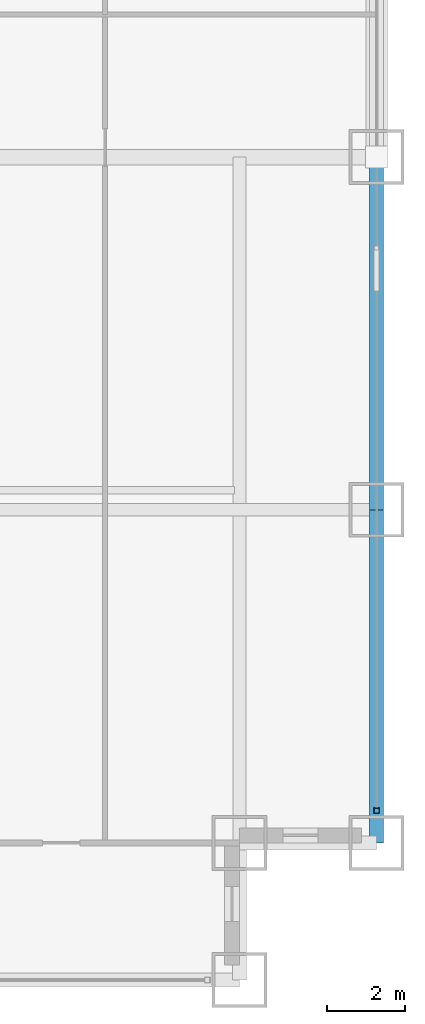
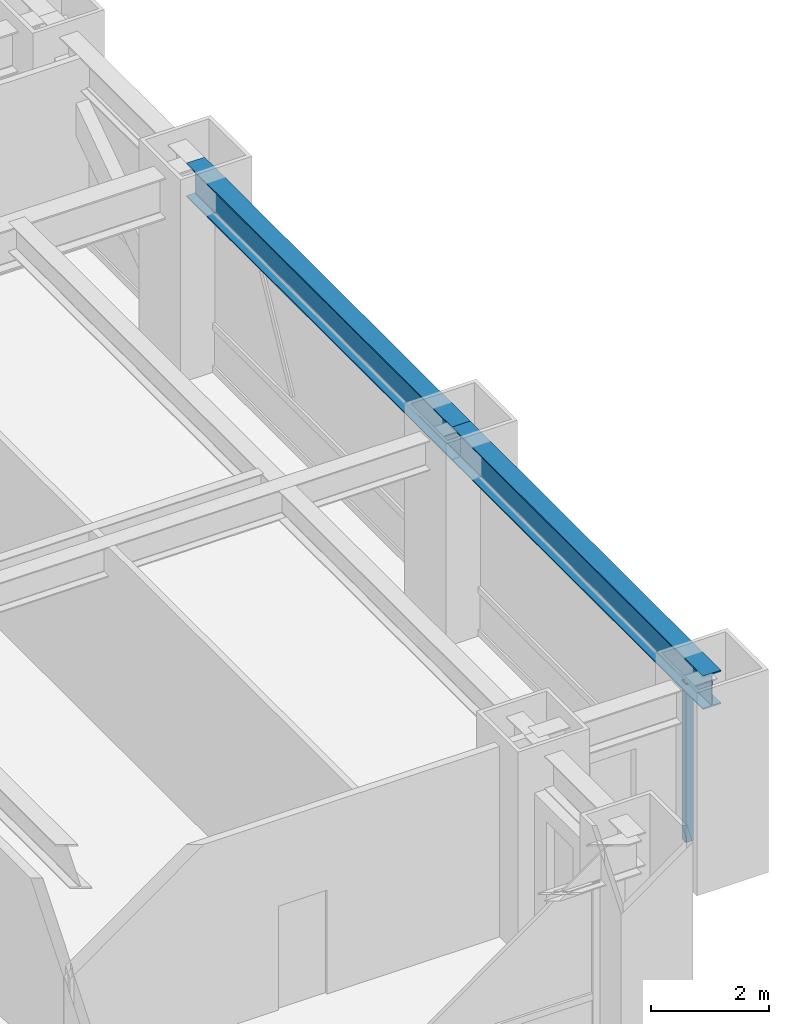
# One storey, part 12 of 28: 2 beams, 1 member, 1 element without a shape of its own.
"""IFC4 building model written with IfcOpenShell, lengths in metres."""

import ifcopenshell
import ifcopenshell.guid

model = None  # the IFC model being written
_history = None  # IfcOwnerHistory: only IFC2X3 demands one
_inside = {}  # id of a spatial element -> (the spatial element, [elements in it])
_under = {}  # id of a project, library or spatial element -> (it, [spatial elements below it])
_declared = {}  # id of a project -> (the project, [libraries it declares])
_typed = {}  # id of a type object -> (the type object, [elements of that type])
_made_of = {}  # id of a material, layer set ... -> (it, [elements and type objects made of it])


def new_model(schema):
    """Start an empty IFC model of exactly this schema.

    Asked for "IFC4X3", IfcOpenShell would pick the latest addendum, in which some entities
    have other attributes; the version numbers below select the first issue.
    IFC2X3 requires an IfcOwnerHistory on every rooted entity: one is made here for all.
    """
    global model, _history
    if schema == "IFC4X3":
        model = ifcopenshell.file(schema_version=(4, 3, 0, 0))
    else:
        model = ifcopenshell.file(schema=schema)
    _inside.clear()
    _under.clear()
    _declared.clear()
    _typed.clear()
    _made_of.clear()
    _history = None
    if model.schema == "IFC2X3":
        org = make("IfcOrganization", Name="unknown")
        user = make(
            "IfcPersonAndOrganization",
            ThePerson=make("IfcPerson", FamilyName="unknown"),
            TheOrganization=org,
        )
        app = make(
            "IfcApplication",
            ApplicationDeveloper=org,
            Version="unknown",
            ApplicationFullName="unknown",
            ApplicationIdentifier="unknown",
        )
        _history = make(
            "IfcOwnerHistory",
            OwningUser=user,
            OwningApplication=app,
            ChangeAction="ADDED",
            CreationDate=0,
        )
    return model


def make(cls, **values):
    """One entity of the class cls with the attributes given. An attribute that is None is left unset."""
    return model.create_entity(
        cls, **{name: value for name, value in values.items() if value is not None}
    )


def rooted(cls, **values):
    """An entity with a GlobalId (a new one), such as an element, a storey or a relation."""
    return make(cls, GlobalId=ifcopenshell.guid.new(), OwnerHistory=_history, **values)


def si_unit(unit_type, name, prefix=None):
    """IfcSIUnit, for example si_unit("LENGTHUNIT", "METRE", prefix="MILLI")."""
    return make("IfcSIUnit", UnitType=unit_type, Prefix=prefix, Name=name)


def assignment(units):
    """IfcUnitAssignment: the units of a project."""
    return None if units is None else make("IfcUnitAssignment", Units=units)


def point(xyz):
    """IfcCartesianPoint."""
    return None if xyz is None else make("IfcCartesianPoint", Coordinates=xyz)


def direction(xyz):
    """IfcDirection."""
    return None if xyz is None else make("IfcDirection", DirectionRatios=xyz)


def frame(location, z_axis=None, x_axis=None):
    """IfcAxis2Placement3D, a coordinate frame: its origin and axes. An axis left out is left unset."""
    return make(
        "IfcAxis2Placement3D",
        Location=point(location),
        Axis=direction(z_axis),
        RefDirection=direction(x_axis),
    )


def frame_2d(location, x_axis=None):
    """IfcAxis2Placement2D, a coordinate frame in the plane: its origin and x axis."""
    return make(
        "IfcAxis2Placement2D", Location=point(location), RefDirection=direction(x_axis)
    )


def origin():
    """The frame at (0, 0, 0) with its axes left unset."""
    return frame((0.0, 0.0, 0.0))


def origin_2d():
    """The frame at (0, 0) in the plane with its x axis left unset."""
    return frame_2d((0.0, 0.0))


def place(relative_to, where):
    """IfcLocalPlacement: puts the frame where relative to a parent placement (None: the world)."""
    return make(
        "IfcLocalPlacement", PlacementRelTo=relative_to, RelativePlacement=where
    )


def context(
    kind, dimensions, precision=None, world=None, true_north=None, identifier=None
):
    """IfcGeometricRepresentationContext, for example the 3D "Model" context."""
    return make(
        "IfcGeometricRepresentationContext",
        ContextIdentifier=identifier,
        ContextType=kind,
        CoordinateSpaceDimension=dimensions,
        Precision=precision,
        WorldCoordinateSystem=world,
        TrueNorth=true_north,
    )


def subcontext(parent, identifier, kind, view, scale=None):
    """IfcGeometricRepresentationSubContext, for example "Body" below "Model"."""
    return make(
        "IfcGeometricRepresentationSubContext",
        ContextIdentifier=identifier,
        ContextType=kind,
        ParentContext=parent,
        TargetScale=scale,
        TargetView=view,
    )


def project(units=None, contexts=None):
    """IfcProject with its units and contexts."""
    return rooted(
        "IfcProject",
        Name="project",
        RepresentationContexts=contexts,
        UnitsInContext=assignment(units),
    )


def spatial(cls, under=None, at=None, **own):
    """A site, building, storey or space (cls), placed at a placement, below another one or the project."""
    s = rooted(cls, ObjectPlacement=at, **own)
    if under is not None:
        _under.setdefault(under.id(), (under, []))[1].append(s)
    return s


def profile(cls, at=None, kind="AREA", **sizes):
    """A parametric profile (cls). Its sizes go by their IFC names, for example OverallWidth=200.0."""
    return make(cls, ProfileType=kind, Position=at, **sizes)


def hollow_rectangle(**sizes):
    """IfcRectangleHollowProfileDef."""
    return profile("IfcRectangleHollowProfileDef", **sizes)


def i_section(**sizes):
    """IfcIShapeProfileDef."""
    return profile("IfcIShapeProfileDef", **sizes)


def extrude(swept, where, along, depth):
    """IfcExtrudedAreaSolid: the profile swept, set in the frame where, extruded along a direction by depth."""
    return make(
        "IfcExtrudedAreaSolid",
        SweptArea=swept,
        Position=where,
        ExtrudedDirection=direction(along),
        Depth=depth,
    )


def shape(context_of_items, identifier, shape_type, items):
    """IfcShapeRepresentation: the items that make up one representation, for example the "Body"."""
    return make(
        "IfcShapeRepresentation",
        ContextOfItems=context_of_items,
        RepresentationIdentifier=identifier,
        RepresentationType=shape_type,
        Items=items,
    )


def source(mapping_origin, context_of_items, identifier, shape_type, items):
    """IfcRepresentationMap: a shape defined once, which mapped items show again and again."""
    return make(
        "IfcRepresentationMap",
        MappingOrigin=mapping_origin,
        MappedRepresentation=shape(context_of_items, identifier, shape_type, items),
    )


def transform(
    local_origin,
    x_axis=None,
    y_axis=None,
    z_axis=None,
    scale=None,
    scale2=None,
    scale3=None,
    uniform=True,
):
    """IfcCartesianTransformationOperator3D, or its non-uniform kind. x_axis, y_axis, z_axis: its Axis1, 2, 3."""
    if uniform:
        return make(
            "IfcCartesianTransformationOperator3D",
            Axis1=direction(x_axis),
            Axis2=direction(y_axis),
            LocalOrigin=point(local_origin),
            Scale=scale,
            Axis3=direction(z_axis),
        )
    return make(
        "IfcCartesianTransformationOperator3DnonUniform",
        Axis1=direction(x_axis),
        Axis2=direction(y_axis),
        LocalOrigin=point(local_origin),
        Scale=scale,
        Axis3=direction(z_axis),
        Scale2=scale2,
        Scale3=scale3,
    )


def mapped(mapping_source, mapping_target):
    """IfcMappedItem: shows the shape of a source again, moved by a transform."""
    return make(
        "IfcMappedItem", MappingSource=mapping_source, MappingTarget=mapping_target
    )


def material(Name=None, Category=None):
    """IfcMaterial."""
    return make("IfcMaterial", Name=Name, Category=Category)


def material_profile(
    of_material, cross_section, Name=None, Category=None, Priority=None
):
    """IfcMaterialProfile: a cross section and its material."""
    return make(
        "IfcMaterialProfile",
        Name=Name,
        Material=of_material,
        Profile=cross_section,
        Priority=Priority,
        Category=Category,
    )


def profile_set(profiles, Name=None, composite=None):
    """IfcMaterialProfileSet."""
    return make(
        "IfcMaterialProfileSet",
        Name=Name,
        MaterialProfiles=profiles,
        CompositeProfile=composite,
    )


def made_of(thing, what):
    """Note that an element or type object is made of a material, layer set ...; save() writes the relation."""
    if what is not None:
        _made_of.setdefault(what.id(), (what, []))[1].append(thing)
    return thing


def type_object(cls, material=None, **own):
    """A type object (cls), such as IfcWallType, which elements share."""
    return made_of(rooted(cls, **own), material)


def element(
    cls,
    number,
    at=None,
    inside=None,
    cuts=None,
    type_object=None,
    material=None,
    context=None,
    identifier="Body",
    shape_type=None,
    held_by="IfcProductDefinitionShape",
    body=None,
    shapes=None,
    **own,
):
    """One element of the class cls, such as IfcWall. Its Tag is "e" and its number.

    at: its placement. inside: the storey or other place that contains it. cuts: it is an
    opening in that element (IfcRelVoidsElement). A single representation is given by context,
    identifier, shape_type and body (its items); several are given by shapes. held_by: the class
    of the entity that holds the representations. save() writes the other relations.
    """
    e = rooted(cls, Tag="e%d" % number, ObjectPlacement=at, **own)
    if body is not None:
        shapes = [shape(context, identifier, shape_type, body)]
    if shapes is not None:
        e.Representation = make(held_by, Representations=shapes)
    if inside is not None:
        _inside.setdefault(inside.id(), (inside, []))[1].append(e)
    if cuts is not None:
        rooted(
            "IfcRelVoidsElement", RelatingBuildingElement=cuts, RelatedOpeningElement=e
        )
    if type_object is not None:
        _typed.setdefault(type_object.id(), (type_object, []))[1].append(e)
    return made_of(e, material)


def aggregate(whole, parts):
    """IfcRelAggregates: a whole, such as a stair, and the parts it consists of."""
    return rooted("IfcRelAggregates", RelatingObject=whole, RelatedObjects=parts)


def save(model, path):
    """Write the relations noted so far, then the file.

    IfcRelAggregates (storeys below a building ...), IfcRelContainedInSpatialStructure (elements
    in a storey), IfcRelDefinesByType, IfcRelAssociatesMaterial and IfcRelDeclares: one each for
    every whole, place, type object, material and project.
    """
    for whole, parts in _under.values():
        aggregate(whole, parts)
    for where, things in _inside.values():
        rooted(
            "IfcRelContainedInSpatialStructure",
            RelatedElements=things,
            RelatingStructure=where,
        )
    for kind, things in _typed.values():
        rooted("IfcRelDefinesByType", RelatedObjects=things, RelatingType=kind)
    for what, things in _made_of.values():
        rooted("IfcRelAssociatesMaterial", RelatedObjects=things, RelatingMaterial=what)
    for by, libraries in _declared.values():
        rooted("IfcRelDeclares", RelatingContext=by, RelatedDefinitions=libraries)
    model.write(path)


model = new_model("IFC4")

# Units and contexts
model_context = context("Model", 3, precision=1e-05, world=origin(), true_north=direction((0.0, 1.0)))
body_context = subcontext(model_context, "Body", "Model", "MODEL_VIEW")
ifc_project = project(units=[si_unit("LENGTHUNIT", "METRE"), si_unit("AREAUNIT", "SQUARE_METRE"), si_unit("VOLUMEUNIT", "CUBIC_METRE"), si_unit("PLANEANGLEUNIT", "RADIAN"), si_unit("MASSUNIT", "GRAM", prefix="KILO")], contexts=[model_context])

# Site, building, storey
site_placement = place(None, origin())
site = spatial("IfcSite", under=ifc_project, at=site_placement, CompositionType="ELEMENT")
building_placement = place(site_placement, origin())
building = spatial("IfcBuilding", under=site, at=building_placement, Name="Khorayat Bourse Tower", CompositionType="ELEMENT")
storey_placement = place(building_placement, frame((0.0, 0.0, 83.0)))
storey = spatial("IfcBuildingStorey", under=building, at=storey_placement, Name="L18", CompositionType="ELEMENT", Elevation=83.0)

# Beams
ifc_material_1 = material(Name="Steel ASTM A992 Grade 50", Category="steel")
ifc_material_profile_1 = material_profile(ifc_material_1, i_section(OverallWidth=0.35498046875, OverallDepth=0.695068359375, WebThickness=0.015380859375, FlangeThickness=0.02490234375, FilletRadius=0.01806640625, at=origin_2d()), Name="W690X217")
ifc_profile_set_1 = profile_set([ifc_material_profile_1], Name="Steel ASTM A992 Grade 50")
beam_type = type_object("IfcBeamType", Name="BM-SPAN-690", PredefinedType="SPANDREL", material=ifc_profile_set_1)
shared_shape_1 = source(origin(), body_context, "Body", "SweptSolid", [
    extrude(i_section(OverallWidth=0.35498046875, OverallDepth=0.695068359375, WebThickness=0.015380859375, FlangeThickness=0.02490234375, FilletRadius=0.01806640625, at=origin_2d()), origin(), (0.0, 0.0, 1.0), 8.5),
])
beam_1_placement = place(storey_placement, frame((32.0, -28.5, 3.592529296875), z_axis=(0.0, 1.0, 0.0), x_axis=(-1.0, 0.0, 0.0)))
element("IfcBeam", 1, at=beam_1_placement, inside=storey, type_object=beam_type, Name="L18 BM-SPAN-690 BM-L18-SPN-034", PredefinedType="SPANDREL", context=body_context, shape_type="MappedRepresentation", body=[
    mapped(shared_shape_1, transform((0.0, 0.0, 0.0), scale=1.0)),
])
shared_shape_2 = source(origin(), body_context, "Body", "SweptSolid", [
    extrude(i_section(OverallWidth=0.35498046875, OverallDepth=0.695068359375, WebThickness=0.015380859375, FlangeThickness=0.02490234375, FilletRadius=0.01806640625, at=origin_2d()), origin(), (0.0, 0.0, 1.0), 9.0),
])
beam_2_placement = place(storey_placement, frame((32.0, -20.0, 3.592529296875), z_axis=(0.0, 1.0, 0.0), x_axis=(-1.0, 0.0, 0.0)))
element("IfcBeam", 2, at=beam_2_placement, inside=storey, type_object=beam_type, Name="L18 BM-SPAN-690 BM-L18-SPN-035", PredefinedType="SPANDREL", context=body_context, shape_type="MappedRepresentation", body=[
    mapped(shared_shape_2, transform((0.0, 0.0, 0.0), scale=1.0)),
])

# Curtain wall, member
ifc_material_2 = material(Name="Aluminium EN AW-6063 T6", Category="aluminium")
curtain_wall_type = type_object("IfcCurtainWallType", Name="CW-SYS-02", PredefinedType="NOTDEFINED", material=ifc_material_2)
curtain_wall_placement = place(storey_placement, origin())
curtain_wall = element("IfcCurtainWall", 3, at=curtain_wall_placement, inside=storey, type_object=curtain_wall_type, Name="L18 Curtain Wall CW-L18-E1", PredefinedType="NOTDEFINED")
ifc_material_profile_2 = material_profile(ifc_material_2, hollow_rectangle(XDim=0.139892578125, YDim=0.139892578125, WallThickness=0.006103515625, at=origin_2d()), Name="ALU 140x140x6")
ifc_profile_set_2 = profile_set([ifc_material_profile_2], Name="Aluminium EN AW-6063 T6")
member_type = type_object("IfcMemberType", Name="CWM-VERT-140", PredefinedType="MULLION", material=ifc_profile_set_2)
shared_shape_3 = source(origin(), body_context, "Body", "SweptSolid", [
    extrude(hollow_rectangle(XDim=0.139892578125, YDim=0.139892578125, WallThickness=0.006103515625, at=origin_2d()), origin(), (0.0, 0.0, 1.0), 3.2900390625),
])
member_placement = place(storey_placement, frame((32.0, -27.679931640625, 0.0), z_axis=(0.0, 0.0, 1.0), x_axis=(-1.0, 0.0, 0.0)))
member = element("IfcMember", 4, at=member_placement, type_object=member_type, Name="CW-L18-E1 Vertical Mullion 1", PredefinedType="MULLION", context=body_context, shape_type="MappedRepresentation", body=[
    mapped(shared_shape_3, transform((0.0, 0.0, 0.0), scale=1.0)),
])
aggregate(curtain_wall, [member])

save(model, "model.ifc")
